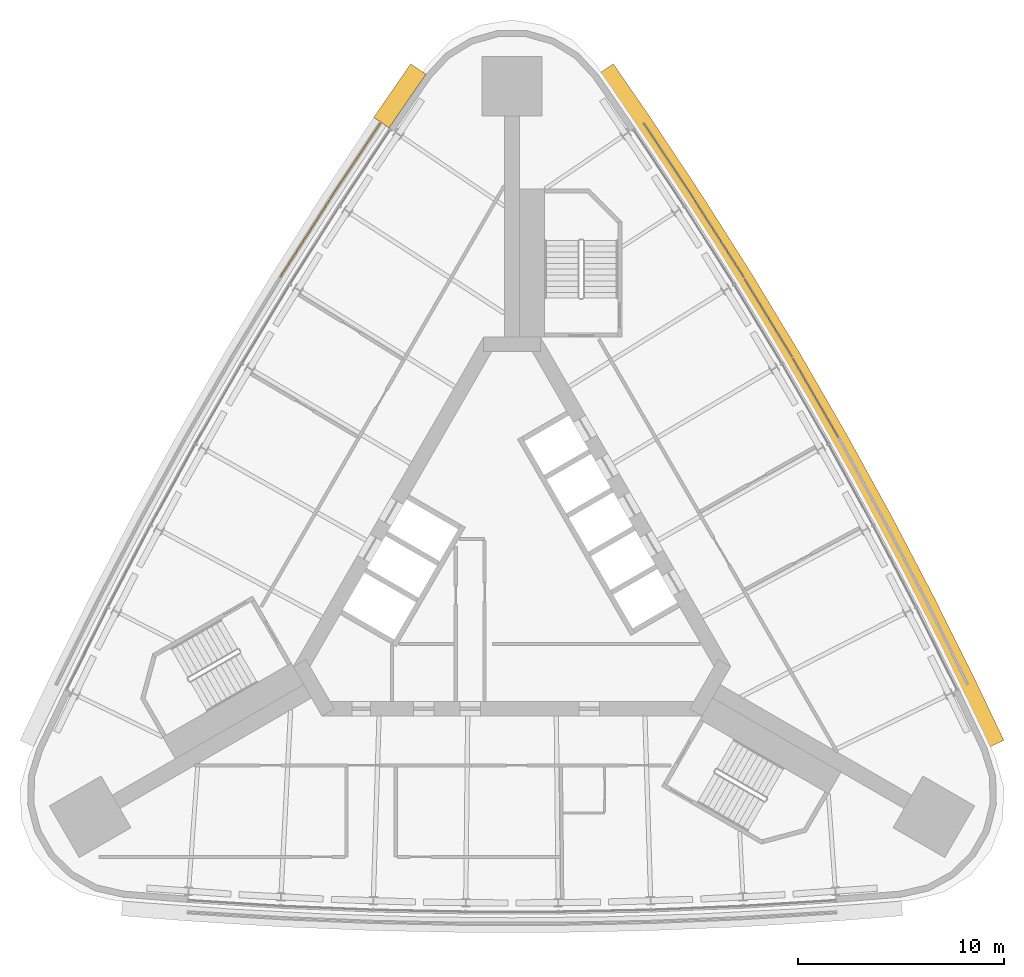
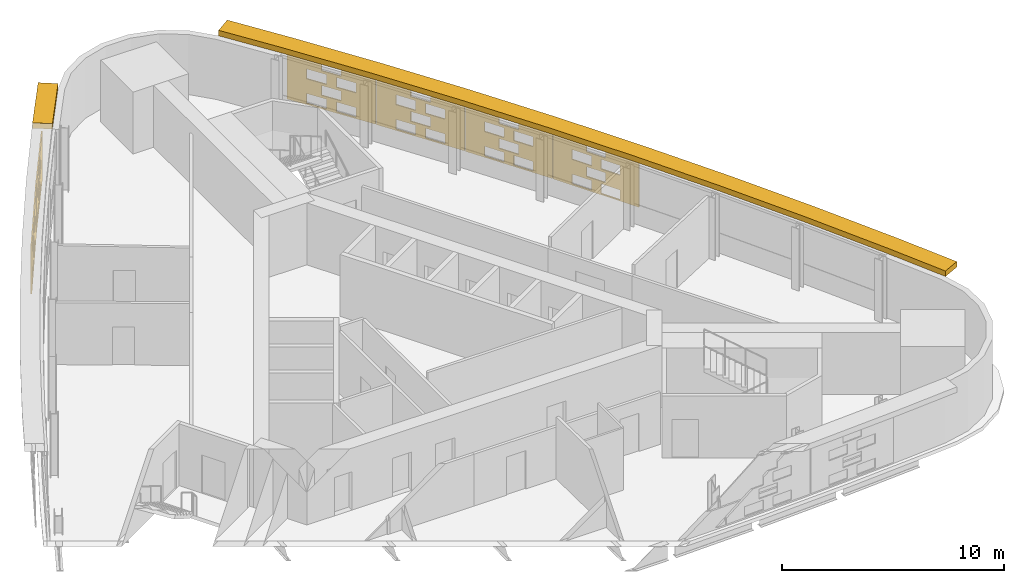
# One storey, part 12 of 12: 8 shading devices.
"""IFC4 building model written with IfcOpenShell, lengths in metres."""

from ifc_helpers import new_model, si_unit, direction, frame, origin, place, context, subcontext, project, spatial, polyline, outline, extrude, material, material_profile, profile_set, type_object, element, save


model = new_model("IFC4")

# Units and contexts
model_context = context("Model", 3, precision=1e-05, world=origin(), true_north=direction((0.0, 1.0)))
body_context = subcontext(model_context, "Body", "Model", "MODEL_VIEW")
ifc_project = project(units=[si_unit("LENGTHUNIT", "METRE"), si_unit("AREAUNIT", "SQUARE_METRE"), si_unit("VOLUMEUNIT", "CUBIC_METRE"), si_unit("PLANEANGLEUNIT", "RADIAN"), si_unit("MASSUNIT", "GRAM", prefix="KILO")], contexts=[model_context])

# Site, building, storey
site_placement = place(None, origin())
site = spatial("IfcSite", under=ifc_project, at=site_placement, CompositionType="ELEMENT")
building_placement = place(site_placement, origin())
building = spatial("IfcBuilding", under=site, at=building_placement, Name="Noor Cloister Tower", CompositionType="ELEMENT")
storey_placement = place(building_placement, frame((0.0, 0.0, 150.89990234375)))
storey = spatial("IfcBuildingStorey", under=building, at=storey_placement, Name="L38", CompositionType="ELEMENT", Elevation=150.89990234375)

# Shading devices
ifc_material_1 = material(Name="Limestone", Category="masonry")
ifc_material_profile = material_profile(ifc_material_1, outline(polyline([(-2.22998046875, -1.35009765625), (2.22998046875, -1.35009765625), (2.22998046875, 1.35009765625), (-2.22998046875, 1.35009765625), (-2.22998046875, -1.35009765625)]), holes=[polyline([(-1.25, -1.282470703125), (-0.25, -1.282470703125), (-0.25, -0.742431640625), (-1.25, -0.742431640625), (-1.25, -1.282470703125)]), polyline([(0.25, -1.282470703125), (1.25, -1.282470703125), (1.25, -0.742431640625), (0.25, -0.742431640625), (0.25, -1.282470703125)]), polyline([(-0.5, -0.607421875), (0.5, -0.607421875), (0.5, -0.0673828125), (-0.5, -0.0673828125), (-0.5, -0.607421875)]), polyline([(-1.25, 0.0673828125), (-0.25, 0.0673828125), (-0.25, 0.607421875), (-1.25, 0.607421875), (-1.25, 0.0673828125)]), polyline([(0.25, 0.0673828125), (1.25, 0.0673828125), (1.25, 0.607421875), (0.25, 0.607421875), (0.25, 0.0673828125)]), polyline([(-0.5, 0.742431640625), (0.5, 0.742431640625), (0.5, 1.282470703125), (-0.5, 1.282470703125), (-0.5, 0.742431640625)])]), Name="Woven screen 30 percent open")
ifc_profile_set = profile_set([ifc_material_profile], Name="Limestone")
shading_device_type_1 = type_object("IfcShadingDeviceType", Name="SCREEN woven limestone 30 percent open", PredefinedType="USERDEFINED", material=ifc_profile_set)
for number, where, z_axis, x_axis, name in (
    (1, (-7.58642578125, 19.989990234375, 1.85009765625), (-0.833298909309, 0.552822691054, 0.0), (-0.552822691054, -0.833298909309, 0.0), "SCREEN L38 1"),
    (2, (-10.040283203125, 16.20703125, 1.85009765625), (-0.8431579539, 0.537665941617, 0.0), (-0.537665941617, -0.8431579539, 0.0), "SCREEN L38 2"),
    (3, (14.7099609375, 8.49267578125, 1.85009765625), (0.865982457891, 0.500074377092, 0.0), (-0.500074377092, 0.865982457891, 0.0), "SCREEN L38 4"),
    (4, (12.4150390625, 12.3740234375, 1.85009765625), (0.853884327381, 0.520462828118, 0.0), (-0.520462828118, 0.853884327381, 0.0), "SCREEN L38 5"),
    (5, (10.040283203125, 16.20703125, 1.85009765625), (0.8431579539, 0.537665941617, 0.0), (-0.537665941617, 0.8431579539, 0.0), "SCREEN L38 6"),
    (6, (7.58642578125, 19.989990234375, 1.85009765625), (0.833298909309, 0.552822691054, 0.0), (-0.552822691054, 0.833298909309, 0.0), "SCREEN L38 7"),
):
    element("IfcShadingDevice", number, at=place(storey_placement, frame(where, z_axis=z_axis, x_axis=x_axis)), inside=storey, type_object=shading_device_type_1, Name=name, ObjectType="SCREEN", PredefinedType="USERDEFINED", context=body_context, shape_type="SweptSolid", body=[
        extrude(outline(polyline([(-2.22998046875, -1.35009765625), (2.22998046875, -1.35009765625), (2.22998046875, 1.35009765625), (-2.22998046875, 1.35009765625), (-2.22998046875, -1.35009765625)]), holes=[polyline([(-1.25, -1.282470703125), (-0.25, -1.282470703125), (-0.25, -0.742431640625), (-1.25, -0.742431640625), (-1.25, -1.282470703125)]), polyline([(0.25, -1.282470703125), (1.25, -1.282470703125), (1.25, -0.742431640625), (0.25, -0.742431640625), (0.25, -1.282470703125)]), polyline([(-0.5, -0.607421875), (0.5, -0.607421875), (0.5, -0.0673828125), (-0.5, -0.0673828125), (-0.5, -0.607421875)]), polyline([(-1.25, 0.0673828125), (-0.25, 0.0673828125), (-0.25, 0.607421875), (-1.25, 0.607421875), (-1.25, 0.0673828125)]), polyline([(0.25, 0.0673828125), (1.25, 0.0673828125), (1.25, 0.607421875), (0.25, 0.607421875), (0.25, 0.0673828125)]), polyline([(-0.5, 0.742431640625), (0.5, 0.742431640625), (0.5, 1.282470703125), (-0.5, 1.282470703125), (-0.5, 0.742431640625)])]), origin(), (0.0, 0.0, 1.0), 0.06005859375),
    ])
ifc_material_2 = material(Name="Limestone", Category="masonry")
shading_device_type_2 = type_object("IfcShadingDeviceType", Name="SUNSHADE limestone band 900", PredefinedType="USERDEFINED", material=ifc_material_2)
shading_device_1_placement = place(storey_placement, frame((0.0, 0.0, 3.300048828125)))
element("IfcShadingDevice", 7, at=shading_device_1_placement, inside=storey, type_object=shading_device_type_2, Name="SUNSHADE L38 3", ObjectType="SUNSHADE", PredefinedType="USERDEFINED", context=body_context, shape_type="SweptSolid", body=[
    extrude(outline(polyline([(23.87353515625, -8.10791015625), (22.51318359375, -5.246337890625), (20.502197265625, -1.201416015625), (18.406982421875, 2.802001953125), (16.229248046875, 6.76123046875), (13.969970703125, 10.67431640625), (11.630126953125, 14.539794921875), (9.21044921875, 18.356201171875), (6.713134765625, 22.1201171875), (4.9150390625, 24.729248046875), (4.174072265625, 24.218505859375), (5.967529296875, 21.615966796875), (8.455322265625, 17.8662109375), (10.864990234375, 14.06591796875), (13.195068359375, 10.21630859375), (15.445068359375, 6.3193359375), (17.61376953125, 2.37646484375), (19.700439453125, -1.610595703125), (21.703857421875, -5.639892578125), (23.060791015625, -8.494384765625), (23.87353515625, -8.10791015625)])), origin(), (0.0, 0.0, 1.0), 0.300048828125),
])
shading_device_2_placement = place(storey_placement, frame((0.0, 0.0, 3.300048828125)))
element("IfcShadingDevice", 8, at=shading_device_2_placement, inside=storey, type_object=shading_device_type_2, Name="SUNSHADE L38 4", ObjectType="SUNSHADE", PredefinedType="USERDEFINED", context=body_context, shape_type="SweptSolid", body=[
    extrude(outline(polyline([(-4.9150390625, 24.729248046875), (-6.708740234375, 22.126708984375), (-5.967529296875, 21.615966796875), (-4.174072265625, 24.218505859375), (-4.9150390625, 24.729248046875)])), origin(), (0.0, 0.0, 1.0), 0.300048828125),
])

save(model, "model.ifc")
